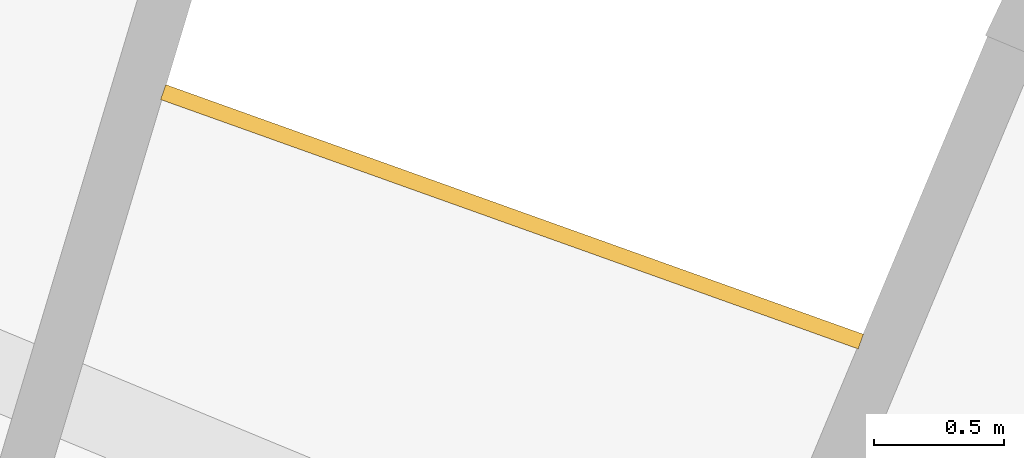
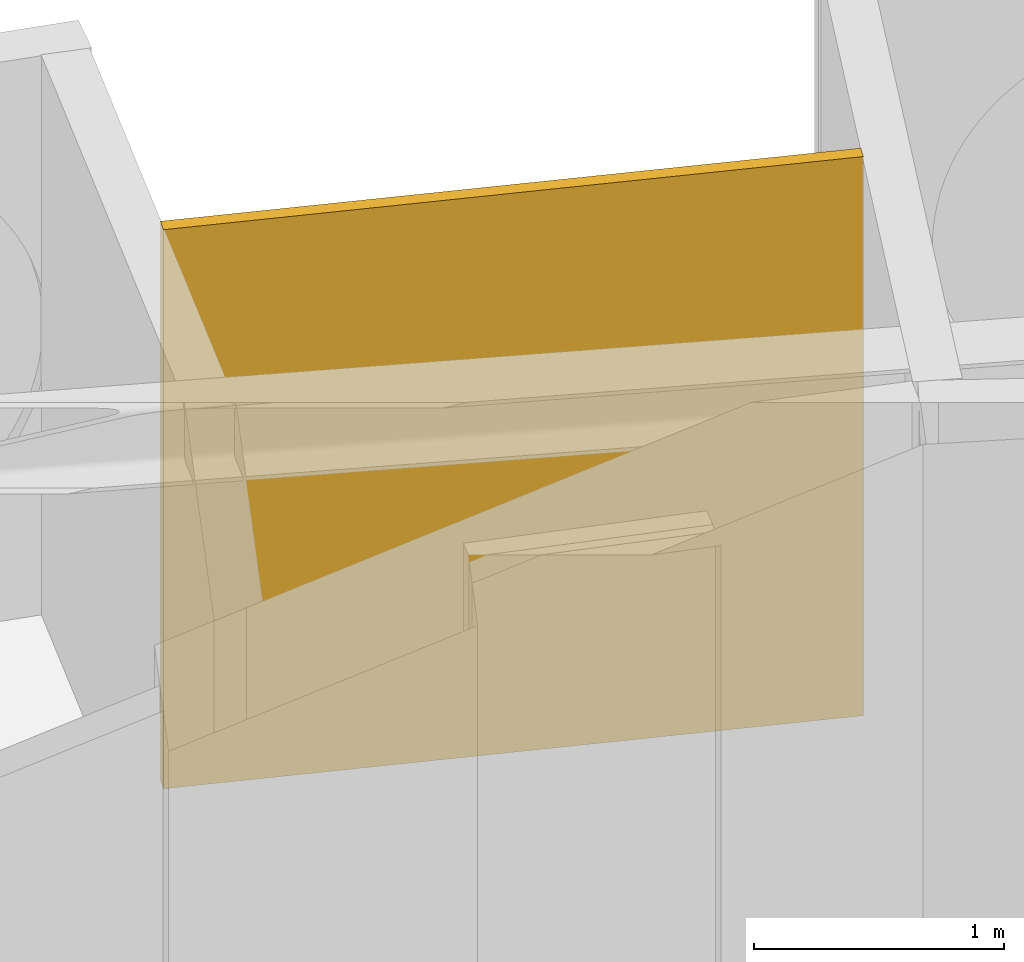
# One storey, part 28 of 28: 1 railing.
"""IFC4 building model written with IfcOpenShell, lengths in metres."""

from ifc_helpers import new_model, si_unit, direction, frame, origin, place, context, subcontext, project, spatial, polyline, outline, extrude, material, layer, layer_set, type_object, element, save


model = new_model("IFC4")

# Units and contexts
model_context = context("Model", 3, precision=1e-05, world=origin(), true_north=direction((0.0, 1.0)))
body_context = subcontext(model_context, "Body", "Model", "MODEL_VIEW")
ifc_project = project(units=[si_unit("LENGTHUNIT", "METRE"), si_unit("AREAUNIT", "SQUARE_METRE"), si_unit("VOLUMEUNIT", "CUBIC_METRE"), si_unit("PLANEANGLEUNIT", "RADIAN"), si_unit("MASSUNIT", "GRAM", prefix="KILO")], contexts=[model_context])

# Site, building, storey
site_placement = place(None, origin())
site = spatial("IfcSite", under=ifc_project, at=site_placement, CompositionType="ELEMENT")
building_placement = place(site_placement, origin())
building = spatial("IfcBuilding", under=site, at=building_placement, Name="Maasbend Ring Residences", CompositionType="ELEMENT")
storey_placement = place(building_placement, frame((0.0, 0.0, 227.949951171875)))
storey = spatial("IfcBuildingStorey", under=building, at=storey_placement, Name="L65", CompositionType="ELEMENT", Elevation=227.949951171875)

# Railing
ifc_material = material(Name="Pale anodised perforated aluminium", Category="aluminium")
ifc_layer = layer(ifc_material, 0.06005859375)
ifc_layer_set = layer_set([ifc_layer], Name="SCREEN-P")
railing_type = type_object("IfcRailingType", Name="SCREEN-P", PredefinedType="GUARDRAIL", material=ifc_layer_set)
railing_placement = place(storey_placement, frame((0.0, 0.0, -0.030029296875)))
element("IfcRailing", 1, at=railing_placement, inside=storey, type_object=railing_type, Name="Perforated screen guard 4", PredefinedType="GUARDRAIL", context=body_context, shape_type="SweptSolid", body=[
    extrude(outline(polyline([(11.097900390625, 26.79296875), (8.41796875, 27.7509765625), (8.43798828125, 27.80810546875), (11.117919921875, 26.84912109375), (11.097900390625, 26.79296875)])), origin(), (0.0, 0.0, 1.0), 2.72998046875),
])

save(model, "model.ifc")
